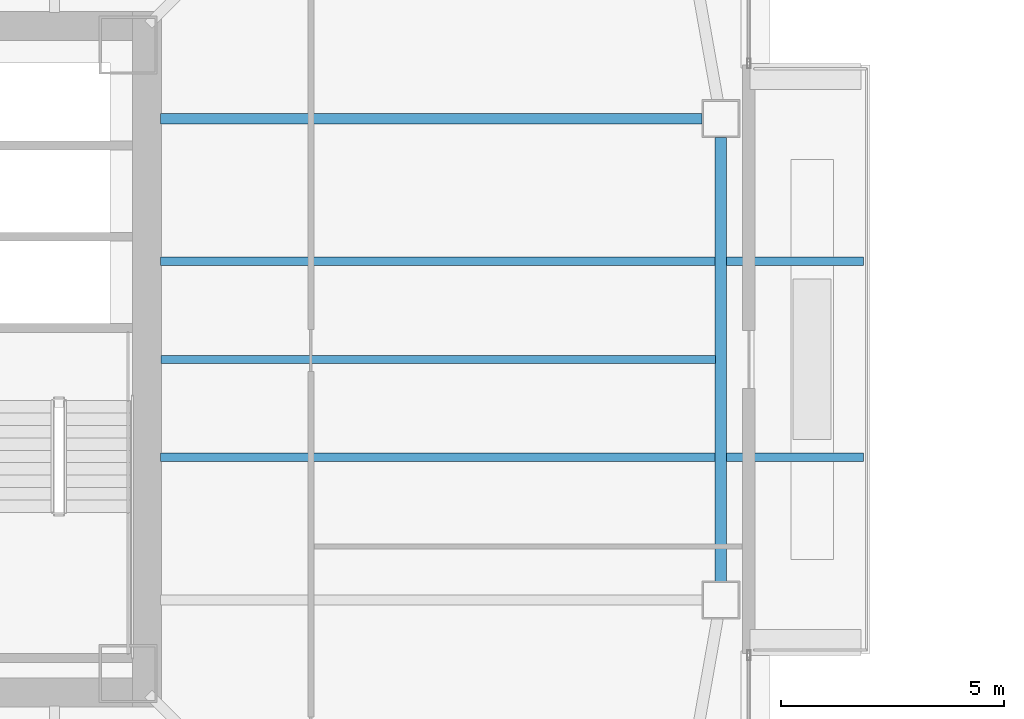
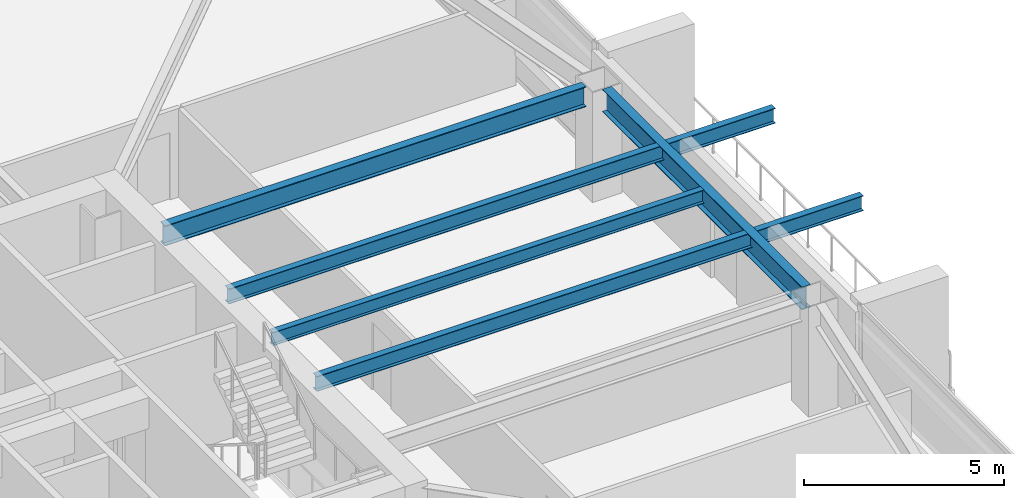
# One storey, part 10 of 46: 5 beams.
"""IFC4 building model written with IfcOpenShell, lengths in metres."""

import ifcopenshell
import ifcopenshell.guid

model = None  # the IFC model being written
_history = None  # IfcOwnerHistory: only IFC2X3 demands one
_inside = {}  # id of a spatial element -> (the spatial element, [elements in it])
_under = {}  # id of a project, library or spatial element -> (it, [spatial elements below it])
_declared = {}  # id of a project -> (the project, [libraries it declares])
_typed = {}  # id of a type object -> (the type object, [elements of that type])
_made_of = {}  # id of a material, layer set ... -> (it, [elements and type objects made of it])


def new_model(schema):
    """Start an empty IFC model of exactly this schema.

    Asked for "IFC4X3", IfcOpenShell would pick the latest addendum, in which some entities
    have other attributes; the version numbers below select the first issue.
    IFC2X3 requires an IfcOwnerHistory on every rooted entity: one is made here for all.
    """
    global model, _history
    if schema == "IFC4X3":
        model = ifcopenshell.file(schema_version=(4, 3, 0, 0))
    else:
        model = ifcopenshell.file(schema=schema)
    _inside.clear()
    _under.clear()
    _declared.clear()
    _typed.clear()
    _made_of.clear()
    _history = None
    if model.schema == "IFC2X3":
        org = make("IfcOrganization", Name="unknown")
        user = make(
            "IfcPersonAndOrganization",
            ThePerson=make("IfcPerson", FamilyName="unknown"),
            TheOrganization=org,
        )
        app = make(
            "IfcApplication",
            ApplicationDeveloper=org,
            Version="unknown",
            ApplicationFullName="unknown",
            ApplicationIdentifier="unknown",
        )
        _history = make(
            "IfcOwnerHistory",
            OwningUser=user,
            OwningApplication=app,
            ChangeAction="ADDED",
            CreationDate=0,
        )
    return model


def make(cls, **values):
    """One entity of the class cls with the attributes given. An attribute that is None is left unset."""
    return model.create_entity(
        cls, **{name: value for name, value in values.items() if value is not None}
    )


def rooted(cls, **values):
    """An entity with a GlobalId (a new one), such as an element, a storey or a relation."""
    return make(cls, GlobalId=ifcopenshell.guid.new(), OwnerHistory=_history, **values)


def si_unit(unit_type, name, prefix=None):
    """IfcSIUnit, for example si_unit("LENGTHUNIT", "METRE", prefix="MILLI")."""
    return make("IfcSIUnit", UnitType=unit_type, Prefix=prefix, Name=name)


def assignment(units):
    """IfcUnitAssignment: the units of a project."""
    return None if units is None else make("IfcUnitAssignment", Units=units)


def point(xyz):
    """IfcCartesianPoint."""
    return None if xyz is None else make("IfcCartesianPoint", Coordinates=xyz)


def direction(xyz):
    """IfcDirection."""
    return None if xyz is None else make("IfcDirection", DirectionRatios=xyz)


def frame(location, z_axis=None, x_axis=None):
    """IfcAxis2Placement3D, a coordinate frame: its origin and axes. An axis left out is left unset."""
    return make(
        "IfcAxis2Placement3D",
        Location=point(location),
        Axis=direction(z_axis),
        RefDirection=direction(x_axis),
    )


def frame_2d(location, x_axis=None):
    """IfcAxis2Placement2D, a coordinate frame in the plane: its origin and x axis."""
    return make(
        "IfcAxis2Placement2D", Location=point(location), RefDirection=direction(x_axis)
    )


def origin():
    """The frame at (0, 0, 0) with its axes left unset."""
    return frame((0.0, 0.0, 0.0))


def origin_2d():
    """The frame at (0, 0) in the plane with its x axis left unset."""
    return frame_2d((0.0, 0.0))


def place(relative_to, where):
    """IfcLocalPlacement: puts the frame where relative to a parent placement (None: the world)."""
    return make(
        "IfcLocalPlacement", PlacementRelTo=relative_to, RelativePlacement=where
    )


def context(
    kind, dimensions, precision=None, world=None, true_north=None, identifier=None
):
    """IfcGeometricRepresentationContext, for example the 3D "Model" context."""
    return make(
        "IfcGeometricRepresentationContext",
        ContextIdentifier=identifier,
        ContextType=kind,
        CoordinateSpaceDimension=dimensions,
        Precision=precision,
        WorldCoordinateSystem=world,
        TrueNorth=true_north,
    )


def subcontext(parent, identifier, kind, view, scale=None):
    """IfcGeometricRepresentationSubContext, for example "Body" below "Model"."""
    return make(
        "IfcGeometricRepresentationSubContext",
        ContextIdentifier=identifier,
        ContextType=kind,
        ParentContext=parent,
        TargetScale=scale,
        TargetView=view,
    )


def project(units=None, contexts=None):
    """IfcProject with its units and contexts."""
    return rooted(
        "IfcProject",
        Name="project",
        RepresentationContexts=contexts,
        UnitsInContext=assignment(units),
    )


def spatial(cls, under=None, at=None, **own):
    """A site, building, storey or space (cls), placed at a placement, below another one or the project."""
    s = rooted(cls, ObjectPlacement=at, **own)
    if under is not None:
        _under.setdefault(under.id(), (under, []))[1].append(s)
    return s


def profile(cls, at=None, kind="AREA", **sizes):
    """A parametric profile (cls). Its sizes go by their IFC names, for example OverallWidth=200.0."""
    return make(cls, ProfileType=kind, Position=at, **sizes)


def i_section(**sizes):
    """IfcIShapeProfileDef."""
    return profile("IfcIShapeProfileDef", **sizes)


def extrude(swept, where, along, depth):
    """IfcExtrudedAreaSolid: the profile swept, set in the frame where, extruded along a direction by depth."""
    return make(
        "IfcExtrudedAreaSolid",
        SweptArea=swept,
        Position=where,
        ExtrudedDirection=direction(along),
        Depth=depth,
    )


def shape(context_of_items, identifier, shape_type, items):
    """IfcShapeRepresentation: the items that make up one representation, for example the "Body"."""
    return make(
        "IfcShapeRepresentation",
        ContextOfItems=context_of_items,
        RepresentationIdentifier=identifier,
        RepresentationType=shape_type,
        Items=items,
    )


def material(Name=None, Category=None):
    """IfcMaterial."""
    return make("IfcMaterial", Name=Name, Category=Category)


def material_profile(
    of_material, cross_section, Name=None, Category=None, Priority=None
):
    """IfcMaterialProfile: a cross section and its material."""
    return make(
        "IfcMaterialProfile",
        Name=Name,
        Material=of_material,
        Profile=cross_section,
        Priority=Priority,
        Category=Category,
    )


def profile_set(profiles, Name=None, composite=None):
    """IfcMaterialProfileSet."""
    return make(
        "IfcMaterialProfileSet",
        Name=Name,
        MaterialProfiles=profiles,
        CompositeProfile=composite,
    )


def made_of(thing, what):
    """Note that an element or type object is made of a material, layer set ...; save() writes the relation."""
    if what is not None:
        _made_of.setdefault(what.id(), (what, []))[1].append(thing)
    return thing


def type_object(cls, material=None, **own):
    """A type object (cls), such as IfcWallType, which elements share."""
    return made_of(rooted(cls, **own), material)


def element(
    cls,
    number,
    at=None,
    inside=None,
    cuts=None,
    type_object=None,
    material=None,
    context=None,
    identifier="Body",
    shape_type=None,
    held_by="IfcProductDefinitionShape",
    body=None,
    shapes=None,
    **own,
):
    """One element of the class cls, such as IfcWall. Its Tag is "e" and its number.

    at: its placement. inside: the storey or other place that contains it. cuts: it is an
    opening in that element (IfcRelVoidsElement). A single representation is given by context,
    identifier, shape_type and body (its items); several are given by shapes. held_by: the class
    of the entity that holds the representations. save() writes the other relations.
    """
    e = rooted(cls, Tag="e%d" % number, ObjectPlacement=at, **own)
    if body is not None:
        shapes = [shape(context, identifier, shape_type, body)]
    if shapes is not None:
        e.Representation = make(held_by, Representations=shapes)
    if inside is not None:
        _inside.setdefault(inside.id(), (inside, []))[1].append(e)
    if cuts is not None:
        rooted(
            "IfcRelVoidsElement", RelatingBuildingElement=cuts, RelatedOpeningElement=e
        )
    if type_object is not None:
        _typed.setdefault(type_object.id(), (type_object, []))[1].append(e)
    return made_of(e, material)


def aggregate(whole, parts):
    """IfcRelAggregates: a whole, such as a stair, and the parts it consists of."""
    return rooted("IfcRelAggregates", RelatingObject=whole, RelatedObjects=parts)


def save(model, path):
    """Write the relations noted so far, then the file.

    IfcRelAggregates (storeys below a building ...), IfcRelContainedInSpatialStructure (elements
    in a storey), IfcRelDefinesByType, IfcRelAssociatesMaterial and IfcRelDeclares: one each for
    every whole, place, type object, material and project.
    """
    for whole, parts in _under.values():
        aggregate(whole, parts)
    for where, things in _inside.values():
        rooted(
            "IfcRelContainedInSpatialStructure",
            RelatedElements=things,
            RelatingStructure=where,
        )
    for kind, things in _typed.values():
        rooted("IfcRelDefinesByType", RelatedObjects=things, RelatingType=kind)
    for what, things in _made_of.values():
        rooted("IfcRelAssociatesMaterial", RelatedObjects=things, RelatingMaterial=what)
    for by, libraries in _declared.values():
        rooted("IfcRelDeclares", RelatingContext=by, RelatedDefinitions=libraries)
    model.write(path)


model = new_model("IFC4")

# Units and contexts
model_context = context("Model", 3, precision=1e-05, world=origin(), true_north=direction((0.0, 1.0)))
body_context = subcontext(model_context, "Body", "Model", "MODEL_VIEW")
ifc_project = project(units=[si_unit("LENGTHUNIT", "METRE"), si_unit("AREAUNIT", "SQUARE_METRE"), si_unit("VOLUMEUNIT", "CUBIC_METRE"), si_unit("PLANEANGLEUNIT", "RADIAN"), si_unit("MASSUNIT", "GRAM", prefix="KILO")], contexts=[model_context])

# Site, building, storey
site_placement = place(None, origin())
site = spatial("IfcSite", under=ifc_project, at=site_placement, CompositionType="ELEMENT")
building_placement = place(site_placement, origin())
building = spatial("IfcBuilding", under=site, at=building_placement, Name="Tashvorn Skyway Center", CompositionType="ELEMENT")
storey_placement = place(building_placement, frame((0.0, 0.0, 99.14990234375)))
storey = spatial("IfcBuildingStorey", under=building, at=storey_placement, Name="L26", CompositionType="ELEMENT", Elevation=99.14990234375)

# Beams
ifc_material = material(Name="Steel ASTM A992 Grade 50", Category="steel")
ifc_material_profile_1 = material_profile(ifc_material, i_section(OverallWidth=0.22998046875, OverallDepth=0.616943359375, WebThickness=0.01318359375, FlangeThickness=0.022216796875, at=origin_2d()), Name="W24X94")
ifc_profile_set_1 = profile_set([ifc_material_profile_1], Name="Steel ASTM A992 Grade 50")
beam_type_1 = type_object("IfcBeamType", Name="BM-BEAM-W24X94", PredefinedType="BEAM", material=ifc_profile_set_1)
beam_1_placement = place(storey_placement, frame((61.929931640625, 37.39990234375, 3.04150390625), z_axis=(-1.0, 0.0, 0.0), x_axis=(0.0, -1.0, 0.0)))
element("IfcBeam", 1, at=beam_1_placement, inside=storey, type_object=beam_type_1, Name="Tower 1 L26 Primary Floor Girder FC-E2", PredefinedType="BEAM", context=body_context, shape_type="SweptSolid", body=[
    extrude(i_section(OverallWidth=0.22998046875, OverallDepth=0.616943359375, WebThickness=0.01318359375, FlangeThickness=0.022216796875, at=origin_2d()), origin(), (0.0, 0.0, 1.0), 12.14990234375),
])
ifc_material_profile_2 = material_profile(ifc_material, i_section(OverallWidth=0.177978515625, OverallDepth=0.406005859375, WebThickness=0.0078125, FlangeThickness=0.0126953125, at=origin_2d()), Name="W16X40")
ifc_profile_set_2 = profile_set([ifc_material_profile_2], Name="Steel ASTM A992 Grade 50")
beam_type_2 = type_object("IfcBeamType", Name="BM-JOIST-W16X40", PredefinedType="JOIST", material=ifc_profile_set_2)
beam_2_placement = place(storey_placement, frame((49.7900390625, 32.0, 3.147216796875), z_axis=(1.0, 0.0, 0.0), x_axis=(0.0, 1.0, 0.0)))
element("IfcBeam", 2, at=beam_2_placement, inside=storey, type_object=beam_type_2, Name="Tower 1 L26 Secondary Composite Joist JE", PredefinedType="JOIST", context=body_context, shape_type="SweptSolid", body=[
    extrude(i_section(OverallWidth=0.177978515625, OverallDepth=0.406005859375, WebThickness=0.0078125, FlangeThickness=0.0126953125, at=origin_2d()), origin(), (0.0, 0.0, 1.0), 12.43994140625),
])
ifc_material_profile_3 = material_profile(ifc_material, i_section(OverallWidth=0.19091796875, OverallDepth=0.4599609375, WebThickness=0.010009765625, FlangeThickness=0.01611328125, at=origin_2d()), Name="W18X55")
ifc_profile_set_3 = profile_set([ifc_material_profile_3], Name="Steel ASTM A992 Grade 50")
beam_type_3 = type_object("IfcBeamType", Name="BM-JOIST-W18X55", PredefinedType="JOIST", material=ifc_profile_set_3)
for number, where, z_axis, x_axis, name in (
    (3, (49.780029296875, 29.800048828125, 3.1201171875), (1.0, 0.0, 0.0), (0.0, 1.0, 0.0), "Tower 1 L27 Terrace Cantilever Outlooker 1"),
    (4, (49.780029296875, 34.199951171875, 3.1201171875), (1.0, 0.0, 0.0), (0.0, 1.0, 0.0), "Tower 1 L27 Terrace Cantilever Outlooker 2"),
):
    element("IfcBeam", number, at=place(storey_placement, frame(where, z_axis=z_axis, x_axis=x_axis)), inside=storey, type_object=beam_type_3, Name=name, PredefinedType="JOIST", context=body_context, shape_type="SweptSolid", body=[
        extrude(i_section(OverallWidth=0.19091796875, OverallDepth=0.4599609375, WebThickness=0.010009765625, FlangeThickness=0.01611328125, at=origin_2d()), origin(), (0.0, 0.0, 1.0), 15.77001953125),
    ])
ifc_material_profile_4 = material_profile(ifc_material, i_section(OverallWidth=0.256103515625, OverallDepth=0.693115234375, WebThickness=0.014404296875, FlangeThickness=0.023681640625, at=origin_2d()), Name="W27X114")
ifc_profile_set_4 = profile_set([ifc_material_profile_4], Name="Steel ASTM A992 Grade 50")
beam_type_4 = type_object("IfcBeamType", Name="BM-SPANDREL-W27X114", PredefinedType="SPANDREL", material=ifc_profile_set_4)
beam_3_placement = place(storey_placement, frame((62.35009765625, 27.02001953125, 3.003662109375), z_axis=(0.0, 1.0, 0.0), x_axis=(-1.0, 0.0, 0.0)))
element("IfcBeam", 5, at=beam_3_placement, inside=storey, type_object=beam_type_4, Name="Tower 1 L26 Spandrel Beam 05", PredefinedType="SPANDREL", context=body_context, shape_type="SweptSolid", body=[
    extrude(i_section(OverallWidth=0.256103515625, OverallDepth=0.693115234375, WebThickness=0.014404296875, FlangeThickness=0.023681640625, at=origin_2d()), origin(), (0.0, 0.0, 1.0), 9.9599609375),
])

save(model, "model.ifc")
